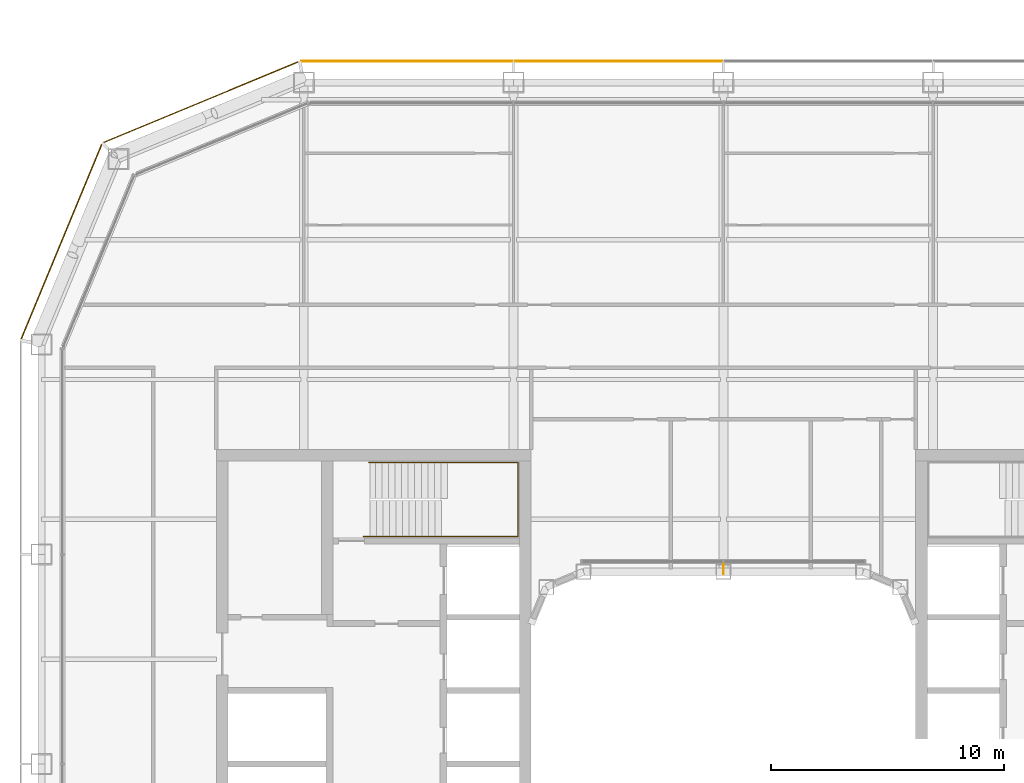
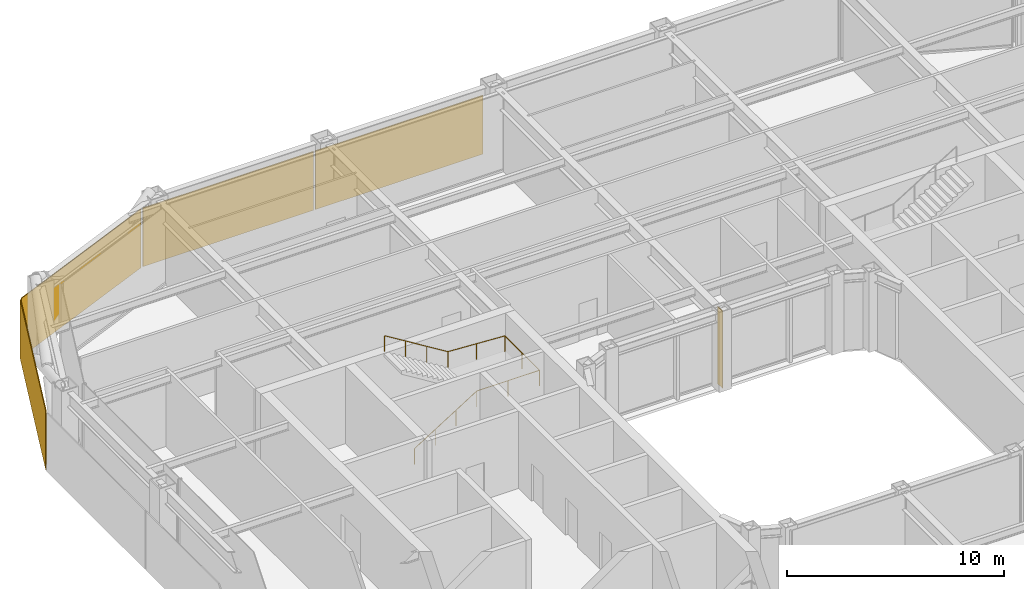
# One storey, part 22 of 24: 4 coverings, 1 railing, 1 shading device.
"""IFC4 building model written with IfcOpenShell, lengths in metres."""

from ifc_helpers import new_model, si_unit, direction, frame, origin, origin_2d, place, context, subcontext, project, spatial, rectangle, circle, extrude, material, layer, layer_set, type_object, element, save


model = new_model("IFC4")

# Units and contexts
model_context = context("Model", 3, precision=1e-05, world=origin(), true_north=direction((0.0, 1.0)))
body_context = subcontext(model_context, "Body", "Model", "MODEL_VIEW")
ifc_project = project(units=[si_unit("LENGTHUNIT", "METRE"), si_unit("AREAUNIT", "SQUARE_METRE"), si_unit("VOLUMEUNIT", "CUBIC_METRE"), si_unit("PLANEANGLEUNIT", "RADIAN"), si_unit("MASSUNIT", "GRAM", prefix="KILO")], contexts=[model_context])

# Site, building, storey
site_placement = place(None, origin())
site = spatial("IfcSite", under=ifc_project, at=site_placement, CompositionType="ELEMENT")
building_placement = place(site_placement, origin())
building = spatial("IfcBuilding", under=site, at=building_placement, Name="Siwar Civic Tower", CompositionType="ELEMENT")
storey_placement = place(building_placement, frame((0.0, 0.0, 149.699951171875)))
storey = spatial("IfcBuildingStorey", under=building, at=storey_placement, Name="L32", CompositionType="ELEMENT", Elevation=149.699951171875)

# Railing
ifc_material_1 = material(Name="Stainless steel", Category="steel")
railing_type = type_object("IfcRailingType", Name="CORE-STAIR-HANDRAIL", PredefinedType="HANDRAIL", material=ifc_material_1)
railing_placement = place(storey_placement, frame((-15.449951171875, 9.758056640625, 0.173095703125)))
element("IfcRailing", 1, at=railing_placement, inside=storey, type_object=railing_type, Name="Stair handrail ST1", PredefinedType="HANDRAIL", context=body_context, shape_type="SweptSolid", body=[
    extrude(circle(Radius=0.02001953125, at=origin_2d()), frame((0.0, 0.0, 0.8798828125), z_axis=(0.847063342986, 0.0, 0.531491950051), x_axis=(0.0, 1.0, 0.0)), (0.0, 0.0, 1.0), 3.90771484375),
    extrude(circle(Radius=0.02001953125, at=origin_2d()), frame((3.31005859375, 0.0, 2.956787109375), z_axis=(1.0, 0.0, 0.0), x_axis=(0.0, 1.0, 0.0)), (0.0, 0.0, 1.0), 3.331787109375),
    extrude(circle(Radius=0.02001953125, at=origin_2d()), frame((6.641845703125, 0.0, 2.956787109375), z_axis=(0.0, 1.0, 0.0), x_axis=(-1.0, 0.0, 0.0)), (0.0, 0.0, 1.0), 3.183837890625),
    extrude(circle(Radius=0.02001953125, at=origin_2d()), frame((6.641845703125, 3.183837890625, 2.956787109375), z_axis=(-0.99837434197, 0.0, 0.056997134106), x_axis=(0.0, -1.0, 0.0)), (0.0, 0.0, 1.0), 3.036865234375),
    extrude(circle(Radius=0.02001953125, at=origin_2d()), frame((3.60986328125, 3.183837890625, 3.1298828125), z_axis=(-0.850606129759, 0.0, 0.525803396734), x_axis=(0.0, -1.0, 0.0)), (0.0, 0.0, 1.0), 3.949951171875),
    extrude(circle(Radius=0.02001953125, at=origin_2d()), origin(), (0.0, 0.0, 1.0), 0.85986328125),
    extrude(circle(Radius=0.02001953125, at=origin_2d()), frame((1.103271484375, 0.0, 0.6923828125)), (0.0, 0.0, 1.0), 0.85986328125),
    extrude(circle(Radius=0.02001953125, at=origin_2d()), frame((2.206787109375, 0.0, 1.384521484375)), (0.0, 0.0, 1.0), 0.85986328125),
    extrude(circle(Radius=0.02001953125, at=origin_2d()), frame((3.31005859375, 0.0, 2.076904296875)), (0.0, 0.0, 1.0), 0.85986328125),
    extrude(circle(Radius=0.02001953125, at=origin_2d()), frame((4.97607421875, 0.0, 2.076904296875)), (0.0, 0.0, 1.0), 0.85986328125),
    extrude(circle(Radius=0.02001953125, at=origin_2d()), frame((6.641845703125, 0.0, 2.076904296875)), (0.0, 0.0, 1.0), 0.85986328125),
    extrude(circle(Radius=0.02001953125, at=origin_2d()), frame((6.641845703125, 1.591796875, 2.076904296875)), (0.0, 0.0, 1.0), 0.85986328125),
    extrude(circle(Radius=0.02001953125, at=origin_2d()), frame((6.641845703125, 3.183837890625, 2.076904296875)), (0.0, 0.0, 1.0), 0.85986328125),
    extrude(circle(Radius=0.02001953125, at=origin_2d()), frame((5.1259765625, 3.183837890625, 2.16357421875)), (0.0, 0.0, 1.0), 0.85986328125),
    extrude(circle(Radius=0.02001953125, at=origin_2d()), frame((3.60986328125, 3.183837890625, 2.25)), (0.0, 0.0, 1.0), 0.85986328125),
    extrude(circle(Radius=0.02001953125, at=origin_2d()), frame((2.489990234375, 3.183837890625, 2.9423828125)), (0.0, 0.0, 1.0), 0.85986328125),
    extrude(circle(Radius=0.02001953125, at=origin_2d()), frame((1.369873046875, 3.183837890625, 3.634521484375)), (0.0, 0.0, 1.0), 0.85986328125),
    extrude(circle(Radius=0.02001953125, at=origin_2d()), frame((0.25, 3.183837890625, 4.326904296875)), (0.0, 0.0, 1.0), 0.85986328125),
])

# Shading device
ifc_material_2 = material(Name="Aluminium 6063-T6", Category="aluminium")
ifc_layer_1 = layer(ifc_material_2, 0.02001953125)
ifc_layer_set_1 = layer_set([ifc_layer_1], Name="Aluminium 6063-T6")
shading_device_type = type_object("IfcShadingDeviceType", Name="ENV-FIN", PredefinedType="JALOUSIE", material=ifc_layer_set_1)
shading_device_placement = place(storey_placement, frame((0.0, 8.3701171875, 0.0), z_axis=(0.0, 0.0, 1.0), x_axis=(-1.0, 0.0, 0.0)))
element("IfcShadingDevice", 2, at=shading_device_placement, inside=storey, type_object=shading_device_type, Name="SUNSHADE fin WN 1", PredefinedType="JALOUSIE", context=body_context, shape_type="SweptSolid", body=[
    extrude(rectangle(XDim=0.02001953125, YDim=0.449951171875, at=origin_2d()), origin(), (0.0, 0.0, 1.0), 4.35009765625),
])

# Coverings
ifc_material_3 = material(Name="Perforated aluminium cassette, pale metal", Category="aluminium")
ifc_layer_2 = layer(ifc_material_3, 0.0400390625)
ifc_layer_set_2 = layer_set([ifc_layer_2], Name="Perforated aluminium cassette, pale metal")
covering_type_1 = type_object("IfcCoveringType", Name="ENV-OUTER SKIN OS-1", PredefinedType="CLADDING", material=ifc_layer_set_2)
covering_1_placement = place(storey_placement, frame((-4.5, 30.14990234375, -0.14990234375), z_axis=(0.0, 0.0, 1.0), x_axis=(-1.0, 0.0, 0.0)))
element("IfcCovering", 3, at=covering_1_placement, inside=storey, type_object=covering_type_1, Name="OUTER SKIN OS-1 N 3", PredefinedType="CLADDING", context=body_context, shape_type="SweptSolid", body=[
    extrude(rectangle(XDim=8.89990234375, YDim=0.0400390625, at=origin_2d()), origin(), (0.0, 0.0, 1.0), 3.300048828125),
])
covering_2_placement = place(storey_placement, frame((-13.57958984375, 30.14990234375, -0.14990234375), z_axis=(0.0, 0.0, 1.0), x_axis=(-1.0, 0.0, 0.0)))
element("IfcCovering", 4, at=covering_2_placement, inside=storey, type_object=covering_type_1, Name="OUTER SKIN OS-1 N 4", PredefinedType="CLADDING", context=body_context, shape_type="SweptSolid", body=[
    extrude(rectangle(XDim=9.05908203125, YDim=0.0400390625, at=origin_2d()), origin(), (0.0, 0.0, 1.0), 3.300048828125),
])
covering_3_placement = place(storey_placement, frame((-22.411376953125, 28.39697265625, -0.14990234375), z_axis=(0.0, 0.0, 1.0), x_axis=(-0.923879532511, -0.382683432365, 0.0)))
element("IfcCovering", 5, at=covering_3_placement, inside=storey, type_object=covering_type_1, Name="OUTER SKIN OS-1 NW1 1", PredefinedType="CLADDING", context=body_context, shape_type="SweptSolid", body=[
    extrude(rectangle(XDim=9.022216796875, YDim=0.0400390625, at=origin_2d()), origin(), (0.0, 0.0, 1.0), 3.300048828125),
])
ifc_material_4 = material(Name="Perforated aluminium cassette, pale metal", Category="aluminium")
ifc_layer_3 = layer(ifc_material_4, 0.044921875)
ifc_layer_set_3 = layer_set([ifc_layer_3], Name="Perforated aluminium cassette, pale metal")
covering_type_2 = type_object("IfcCoveringType", Name="ENV-OUTER SKIN OS-2", PredefinedType="CLADDING", material=ifc_layer_set_3)
covering_4_placement = place(storey_placement, frame((-28.39697265625, 22.411376953125, -0.14990234375), z_axis=(0.0, 0.0, 1.0), x_axis=(-0.382683432365, -0.923879532511, 0.0)))
element("IfcCovering", 6, at=covering_4_placement, inside=storey, type_object=covering_type_2, Name="OUTER SKIN OS-2 NW2 1", PredefinedType="CLADDING", context=body_context, shape_type="SweptSolid", body=[
    extrude(rectangle(XDim=9.022216796875, YDim=0.044921875, at=origin_2d()), origin(), (0.0, 0.0, 1.0), 3.300048828125),
])

save(model, "model.ifc")
